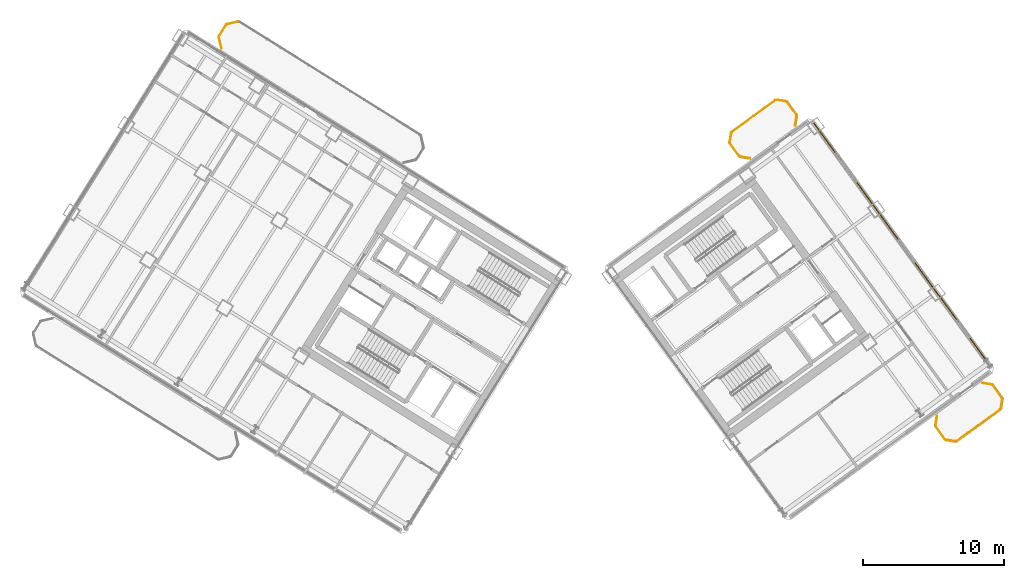
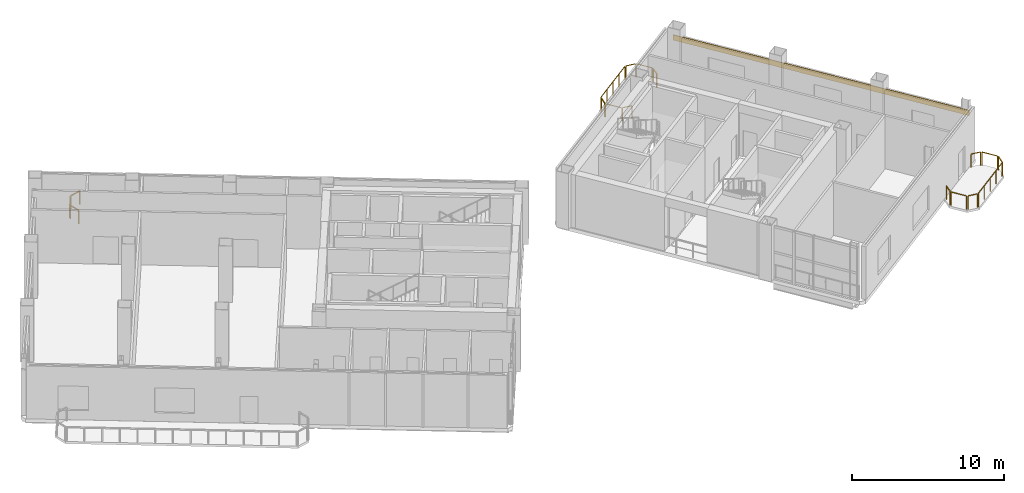
# One storey, part 18 of 18: 17 railings, 1 covering.
"""IFC4 building model written with IfcOpenShell, lengths in metres."""

from ifc_helpers import new_model, si_unit, direction, frame, origin, origin_2d, place, context, subcontext, project, spatial, rectangle, extrude, source, transform, mapped, material, layer, layer_set, type_object, element, save


model = new_model("IFC4")

# Units and contexts
model_context = context("Model", 3, precision=1e-05, world=origin(), true_north=direction((0.0, 1.0)))
body_context = subcontext(model_context, "Body", "Model", "MODEL_VIEW")
ifc_project = project(units=[si_unit("LENGTHUNIT", "METRE"), si_unit("AREAUNIT", "SQUARE_METRE"), si_unit("VOLUMEUNIT", "CUBIC_METRE"), si_unit("PLANEANGLEUNIT", "RADIAN"), si_unit("MASSUNIT", "GRAM", prefix="KILO")], contexts=[model_context])

# Site, building, storey
site_placement = place(None, origin())
site = spatial("IfcSite", under=ifc_project, at=site_placement, CompositionType="ELEMENT")
building_placement = place(site_placement, origin())
building = spatial("IfcBuilding", under=site, at=building_placement, Name="Tlacorven Tower", CompositionType="ELEMENT")
storey_placement = place(building_placement, frame((0.0, 0.0, 136.199951171875)))
storey = spatial("IfcBuildingStorey", under=building, at=storey_placement, Name="L34", CompositionType="ELEMENT", Elevation=136.199951171875)

# Railings
ifc_material_1 = material(Name="Aluminium and painted steel balustrade", Category="steel")
railing_type = type_object("IfcRailingType", Name="RL-BAL-1100", PredefinedType="BALUSTRADE", material=ifc_material_1)
shared_shape_1 = source(origin(), body_context, "Body", "SweptSolid", [
    extrude(rectangle(XDim=0.048095703125, YDim=0.048095703125, at=origin_2d()), frame((0.0, 0.0, 1.076171875), z_axis=(-0.225058334816, 0.974345290916, 0.0), x_axis=(-0.974345290916, -0.225058334816, 0.0)), (0.0, 0.0, 1.0), 0.80712890625),
    extrude(rectangle(XDim=0.0419921875, YDim=0.0419921875, at=origin_2d()), origin(), (0.0, 0.0, 1.0), 1.052001953125),
    extrude(rectangle(XDim=0.0419921875, YDim=0.0419921875, at=origin_2d()), frame((-0.181640625, 0.786376953125, 0.0)), (0.0, 0.0, 1.0), 1.052001953125),
])
railing_1_placement = place(storey_placement, frame((16.5361328125, 40.68115234375, 0.0)))
element("IfcRailing", 1, at=railing_1_placement, inside=storey, type_object=railing_type, Name="BAL-L34-W-IN Guard Railing 4", PredefinedType="BALUSTRADE", context=body_context, shape_type="MappedRepresentation", body=[
    mapped(shared_shape_1, transform((0.0, 0.0, 0.0), scale=1.0)),
])
shared_shape_2 = source(origin(), body_context, "Body", "SweptSolid", [
    extrude(rectangle(XDim=0.048095703125, YDim=0.048095703125, at=origin_2d()), frame((0.0, 0.0, 1.076171875), z_axis=(0.52987865805, 0.848073468364, 0.0), x_axis=(-0.848073468364, 0.52987865805, 0.0)), (0.0, 0.0, 1.0), 0.912353515625),
    extrude(rectangle(XDim=0.0419921875, YDim=0.0419921875, at=origin_2d()), origin(), (0.0, 0.0, 1.0), 1.052001953125),
    extrude(rectangle(XDim=0.0419921875, YDim=0.0419921875, at=origin_2d()), frame((0.4833984375, 0.773681640625, 0.0)), (0.0, 0.0, 1.0), 1.052001953125),
])
railing_2_placement = place(storey_placement, frame((16.369873046875, 41.55859375, 0.0)))
element("IfcRailing", 2, at=railing_2_placement, inside=storey, type_object=railing_type, Name="BAL-L34-W-IN Guard Railing 5", PredefinedType="BALUSTRADE", context=body_context, shape_type="MappedRepresentation", body=[
    mapped(shared_shape_2, transform((0.0, 0.0, 0.0), scale=1.0)),
])
shared_shape_3 = source(origin(), body_context, "Body", "SweptSolid", [
    extrude(rectangle(XDim=0.048095703125, YDim=0.048095703125, at=origin_2d()), frame((0.0, 0.0, 1.076171875), z_axis=(0.974411586182, 0.224771129628, 0.0), x_axis=(-0.224771129628, 0.974411586182, 0.0)), (0.0, 0.0, 1.0), 0.80712890625),
    extrude(rectangle(XDim=0.0419921875, YDim=0.0419921875, at=origin_2d()), origin(), (0.0, 0.0, 1.0), 1.052001953125),
    extrude(rectangle(XDim=0.0419921875, YDim=0.0419921875, at=origin_2d()), frame((0.786376953125, 0.181396484375, 0.0)), (0.0, 0.0, 1.0), 1.052001953125),
])
railing_3_placement = place(storey_placement, frame((16.928466796875, 42.385986328125, 0.0)))
element("IfcRailing", 3, at=railing_3_placement, inside=storey, type_object=railing_type, Name="BAL-L34-W-IN Guard Railing 6", PredefinedType="BALUSTRADE", context=body_context, shape_type="MappedRepresentation", body=[
    mapped(shared_shape_3, transform((0.0, 0.0, 0.0), scale=1.0)),
])
shared_shape_4 = source(origin(), body_context, "Body", "SweptSolid", [
    extrude(rectangle(XDim=0.048095703125, YDim=0.048095703125, at=origin_2d()), frame((0.0, 0.0, 1.076171875), z_axis=(-0.987661653326, 0.156602868908, 0.0), x_axis=(-0.156602868908, -0.987661653326, 0.0)), (0.0, 0.0, 1.0), 0.665771484375),
    extrude(rectangle(XDim=0.0419921875, YDim=0.0419921875, at=origin_2d()), origin(), (0.0, 0.0, 1.0), 1.052001953125),
    extrude(rectangle(XDim=0.0419921875, YDim=0.0419921875, at=origin_2d()), frame((-0.657470703125, 0.104248046875, 0.0)), (0.0, 0.0, 1.0), 1.052001953125),
])
railing_4_placement = place(storey_placement, frame((68.59521484375, 12.7919921875, 0.0)))
element("IfcRailing", 4, at=railing_4_placement, inside=storey, type_object=railing_type, Name="BAL-L34-E-OUT Guard Railing 1", PredefinedType="BALUSTRADE", context=body_context, shape_type="MappedRepresentation", body=[
    mapped(shared_shape_4, transform((0.0, 0.0, 0.0), scale=1.0)),
])
shared_shape_5 = source(origin(), body_context, "Body", "SweptSolid", [
    extrude(rectangle(XDim=0.048095703125, YDim=0.048095703125, at=origin_2d()), frame((0.0, 0.0, 1.076171875), z_axis=(-0.58788449985, 0.808944877501, 0.0), x_axis=(-0.808944877501, -0.58788449985, 0.0)), (0.0, 0.0, 1.0), 1.112060546875),
    extrude(rectangle(XDim=0.0419921875, YDim=0.0419921875, at=origin_2d()), origin(), (0.0, 0.0, 1.0), 1.052001953125),
    extrude(rectangle(XDim=0.0419921875, YDim=0.0419921875, at=origin_2d()), frame((-0.65380859375, 0.899658203125, 0.0)), (0.0, 0.0, 1.0), 1.052001953125),
])
railing_5_placement = place(storey_placement, frame((67.85888671875, 12.944580078125, 0.0)))
element("IfcRailing", 5, at=railing_5_placement, inside=storey, type_object=railing_type, Name="BAL-L34-E-OUT Guard Railing 2", PredefinedType="BALUSTRADE", context=body_context, shape_type="MappedRepresentation", body=[
    mapped(shared_shape_5, transform((0.0, 0.0, 0.0), scale=1.0)),
])
shared_shape_6 = source(origin(), body_context, "Body", "SweptSolid", [
    extrude(rectangle(XDim=0.048095703125, YDim=0.048095703125, at=origin_2d()), frame((0.0, 0.0, 1.076171875), z_axis=(0.156602868908, 0.987661653326, 0.0), x_axis=(-0.987661653326, 0.156602868908, 0.0)), (0.0, 0.0, 1.0), 0.665771484375),
    extrude(rectangle(XDim=0.0419921875, YDim=0.0419921875, at=origin_2d()), origin(), (0.0, 0.0, 1.0), 1.052001953125),
    extrude(rectangle(XDim=0.0419921875, YDim=0.0419921875, at=origin_2d()), frame((0.104248046875, 0.657470703125, 0.0)), (0.0, 0.0, 1.0), 1.052001953125),
])
railing_6_placement = place(storey_placement, frame((67.18359375, 13.93408203125, 0.0)))
element("IfcRailing", 6, at=railing_6_placement, inside=storey, type_object=railing_type, Name="BAL-L34-E-OUT Guard Railing 3", PredefinedType="BALUSTRADE", context=body_context, shape_type="MappedRepresentation", body=[
    mapped(shared_shape_6, transform((0.0, 0.0, 0.0), scale=1.0)),
])
shared_shape_7 = source(origin(), body_context, "Body", "SweptSolid", [
    extrude(rectangle(XDim=0.048095703125, YDim=0.048095703125, at=origin_2d()), frame((0.0, 0.0, 1.076171875), z_axis=(0.987718317463, -0.156245081039, 0.0), x_axis=(0.156245081039, 0.987718317463, 0.0)), (0.0, 0.0, 1.0), 0.66552734375),
    extrude(rectangle(XDim=0.0419921875, YDim=0.0419921875, at=origin_2d()), origin(), (0.0, 0.0, 1.0), 1.052001953125),
    extrude(rectangle(XDim=0.0419921875, YDim=0.0419921875, at=origin_2d()), frame((0.657470703125, -0.10400390625, 0.0)), (0.0, 0.0, 1.0), 1.052001953125),
])
railing_7_placement = place(storey_placement, frame((70.513916015625, 16.935546875, 0.0)))
element("IfcRailing", 7, at=railing_7_placement, inside=storey, type_object=railing_type, Name="BAL-L34-E-OUT Guard Railing 4", PredefinedType="BALUSTRADE", context=body_context, shape_type="MappedRepresentation", body=[
    mapped(shared_shape_7, transform((0.0, 0.0, 0.0), scale=1.0)),
])
shared_shape_8 = source(origin(), body_context, "Body", "SweptSolid", [
    extrude(rectangle(XDim=0.048095703125, YDim=0.048095703125, at=origin_2d()), frame((0.0, 0.0, 1.076171875), z_axis=(0.58788449985, -0.808944877501, 0.0), x_axis=(0.808944877501, 0.58788449985, 0.0)), (0.0, 0.0, 1.0), 1.112060546875),
    extrude(rectangle(XDim=0.0419921875, YDim=0.0419921875, at=origin_2d()), origin(), (0.0, 0.0, 1.0), 1.052001953125),
    extrude(rectangle(XDim=0.0419921875, YDim=0.0419921875, at=origin_2d()), frame((0.65380859375, -0.899658203125, 0.0)), (0.0, 0.0, 1.0), 1.052001953125),
])
for number, where, name in (
    (8, (71.250244140625, 16.783203125, 0.0), "BAL-L34-E-OUT Guard Railing 5"),
    (9, (56.658447265625, 36.866943359375, 0.0), "BAL-L34-E-IN Guard Railing 6"),
):
    element("IfcRailing", number, at=place(storey_placement, frame(where)), inside=storey, type_object=railing_type, Name=name, PredefinedType="BALUSTRADE", context=body_context, shape_type="MappedRepresentation", body=[
        mapped(shared_shape_8, transform((0.0, 0.0, 0.0), scale=1.0)),
    ])
shared_shape_9 = source(origin(), body_context, "Body", "SweptSolid", [
    extrude(rectangle(XDim=0.048095703125, YDim=0.048095703125, at=origin_2d()), frame((0.0, 0.0, 1.076171875), z_axis=(-0.156188498702, -0.987727266442, 0.0), x_axis=(0.987727266442, -0.156188498702, 0.0)), (0.0, 0.0, 1.0), 0.665771484375),
    extrude(rectangle(XDim=0.0419921875, YDim=0.0419921875, at=origin_2d()), origin(), (0.0, 0.0, 1.0), 1.052001953125),
    extrude(rectangle(XDim=0.0419921875, YDim=0.0419921875, at=origin_2d()), frame((-0.10400390625, -0.65771484375, 0.0)), (0.0, 0.0, 1.0), 1.052001953125),
])
railing_8_placement = place(storey_placement, frame((71.925537109375, 15.793701171875, 0.0)))
element("IfcRailing", 10, at=railing_8_placement, inside=storey, type_object=railing_type, Name="BAL-L34-E-OUT Guard Railing 6", PredefinedType="BALUSTRADE", context=body_context, shape_type="MappedRepresentation", body=[
    mapped(shared_shape_9, transform((0.0, 0.0, 0.0), scale=1.0)),
])
shared_shape_10 = source(origin(), body_context, "Body", "SweptSolid", [
    extrude(rectangle(XDim=0.048095703125, YDim=0.048095703125, at=origin_2d()), frame((0.0, 0.0, 1.076171875), z_axis=(-0.809018102573, -0.587783726986, 0.0), x_axis=(0.587783726986, -0.809018102573, 0.0)), (0.0, 0.0, 1.0), 3.817138671875),
    extrude(rectangle(XDim=0.0419921875, YDim=0.0419921875, at=origin_2d()), origin(), (0.0, 0.0, 1.0), 1.052001953125),
    extrude(rectangle(XDim=0.0419921875, YDim=0.0419921875, at=origin_2d()), frame((-0.77197265625, -0.56103515625, 0.0)), (0.0, 0.0, 1.0), 1.052001953125),
    extrude(rectangle(XDim=0.0419921875, YDim=0.0419921875, at=origin_2d()), frame((-1.5439453125, -1.121826171875, 0.0)), (0.0, 0.0, 1.0), 1.052001953125),
    extrude(rectangle(XDim=0.0419921875, YDim=0.0419921875, at=origin_2d()), frame((-2.316162109375, -1.6826171875, 0.0)), (0.0, 0.0, 1.0), 1.052001953125),
    extrude(rectangle(XDim=0.0419921875, YDim=0.0419921875, at=origin_2d()), frame((-3.088134765625, -2.24365234375, 0.0)), (0.0, 0.0, 1.0), 1.052001953125),
])
railing_9_placement = place(storey_placement, frame((71.773193359375, 15.057373046875, 0.0)))
element("IfcRailing", 11, at=railing_9_placement, inside=storey, type_object=railing_type, Name="BAL-L34-E-OUT Guard Railing 7", PredefinedType="BALUSTRADE", context=body_context, shape_type="MappedRepresentation", body=[
    mapped(shared_shape_10, transform((0.0, 0.0, 0.0), scale=1.0)),
])
shared_shape_11 = source(origin(), body_context, "Body", "SweptSolid", [
    extrude(rectangle(XDim=0.048095703125, YDim=0.048095703125, at=origin_2d()), frame((0.0, 0.0, 1.076171875), z_axis=(-0.987718317463, 0.156245081039, 0.0), x_axis=(-0.156245081039, -0.987718317463, 0.0)), (0.0, 0.0, 1.0), 0.66552734375),
    extrude(rectangle(XDim=0.0419921875, YDim=0.0419921875, at=origin_2d()), origin(), (0.0, 0.0, 1.0), 1.052001953125),
    extrude(rectangle(XDim=0.0419921875, YDim=0.0419921875, at=origin_2d()), frame((-0.657470703125, 0.10400390625, 0.0)), (0.0, 0.0, 1.0), 1.052001953125),
])
railing_10_placement = place(storey_placement, frame((54.00341796875, 32.8759765625, 0.0)))
element("IfcRailing", 12, at=railing_10_placement, inside=storey, type_object=railing_type, Name="BAL-L34-E-IN Guard Railing 1", PredefinedType="BALUSTRADE", context=body_context, shape_type="MappedRepresentation", body=[
    mapped(shared_shape_11, transform((0.0, 0.0, 0.0), scale=1.0)),
])
shared_shape_12 = source(origin(), body_context, "Body", "SweptSolid", [
    extrude(rectangle(XDim=0.048095703125, YDim=0.048095703125, at=origin_2d()), frame((0.0, 0.0, 1.076171875), z_axis=(-0.587740817519, 0.809049276263, 0.0), x_axis=(-0.809049276263, -0.587740817519, 0.0)), (0.0, 0.0, 1.0), 1.112060546875),
    extrude(rectangle(XDim=0.0419921875, YDim=0.0419921875, at=origin_2d()), origin(), (0.0, 0.0, 1.0), 1.052001953125),
    extrude(rectangle(XDim=0.0419921875, YDim=0.0419921875, at=origin_2d()), frame((-0.653564453125, 0.899658203125, 0.0)), (0.0, 0.0, 1.0), 1.052001953125),
])
railing_11_placement = place(storey_placement, frame((53.26708984375, 33.0283203125, 0.0)))
element("IfcRailing", 13, at=railing_11_placement, inside=storey, type_object=railing_type, Name="BAL-L34-E-IN Guard Railing 2", PredefinedType="BALUSTRADE", context=body_context, shape_type="MappedRepresentation", body=[
    mapped(shared_shape_12, transform((0.0, 0.0, 0.0), scale=1.0)),
])
shared_shape_13 = source(origin(), body_context, "Body", "SweptSolid", [
    extrude(rectangle(XDim=0.048095703125, YDim=0.048095703125, at=origin_2d()), frame((0.0, 0.0, 1.076171875), z_axis=(0.156546163506, 0.987670642822, 0.0), x_axis=(-0.987670642822, 0.156546163506, 0.0)), (0.0, 0.0, 1.0), 0.666015625),
    extrude(rectangle(XDim=0.0419921875, YDim=0.0419921875, at=origin_2d()), origin(), (0.0, 0.0, 1.0), 1.052001953125),
    extrude(rectangle(XDim=0.0419921875, YDim=0.0419921875, at=origin_2d()), frame((0.104248046875, 0.65771484375, 0.0)), (0.0, 0.0, 1.0), 1.052001953125),
])
railing_12_placement = place(storey_placement, frame((52.591796875, 34.017822265625, 0.0)))
element("IfcRailing", 14, at=railing_12_placement, inside=storey, type_object=railing_type, Name="BAL-L34-E-IN Guard Railing 3", PredefinedType="BALUSTRADE", context=body_context, shape_type="MappedRepresentation", body=[
    mapped(shared_shape_13, transform((0.0, 0.0, 0.0), scale=1.0)),
])
shared_shape_14 = source(origin(), body_context, "Body", "SweptSolid", [
    extrude(rectangle(XDim=0.048095703125, YDim=0.048095703125, at=origin_2d()), frame((0.0, 0.0, 1.076171875), z_axis=(0.809040198054, 0.587753313843, 0.0), x_axis=(-0.587753313843, 0.809040198054, 0.0)), (0.0, 0.0, 1.0), 3.8173828125),
    extrude(rectangle(XDim=0.0419921875, YDim=0.0419921875, at=origin_2d()), origin(), (0.0, 0.0, 1.0), 1.052001953125),
    extrude(rectangle(XDim=0.0419921875, YDim=0.0419921875, at=origin_2d()), frame((0.77197265625, 0.56103515625, 0.0)), (0.0, 0.0, 1.0), 1.052001953125),
    extrude(rectangle(XDim=0.0419921875, YDim=0.0419921875, at=origin_2d()), frame((1.544189453125, 1.121826171875, 0.0)), (0.0, 0.0, 1.0), 1.052001953125),
    extrude(rectangle(XDim=0.0419921875, YDim=0.0419921875, at=origin_2d()), frame((2.31640625, 1.6826171875, 0.0)), (0.0, 0.0, 1.0), 1.052001953125),
    extrude(rectangle(XDim=0.0419921875, YDim=0.0419921875, at=origin_2d()), frame((3.08837890625, 2.24365234375, 0.0)), (0.0, 0.0, 1.0), 1.052001953125),
])
railing_13_placement = place(storey_placement, frame((52.744140625, 34.754150390625, 0.0)))
element("IfcRailing", 15, at=railing_13_placement, inside=storey, type_object=railing_type, Name="BAL-L34-E-IN Guard Railing 4", PredefinedType="BALUSTRADE", context=body_context, shape_type="MappedRepresentation", body=[
    mapped(shared_shape_14, transform((0.0, 0.0, 0.0), scale=1.0)),
])
shared_shape_15 = source(origin(), body_context, "Body", "SweptSolid", [
    extrude(rectangle(XDim=0.048095703125, YDim=0.048095703125, at=origin_2d()), frame((0.0, 0.0, 1.076171875), z_axis=(0.987670642822, -0.156546163506, 0.0), x_axis=(0.156546163506, 0.987670642822, 0.0)), (0.0, 0.0, 1.0), 0.666015625),
    extrude(rectangle(XDim=0.0419921875, YDim=0.0419921875, at=origin_2d()), origin(), (0.0, 0.0, 1.0), 1.052001953125),
    extrude(rectangle(XDim=0.0419921875, YDim=0.0419921875, at=origin_2d()), frame((0.65771484375, -0.104248046875, 0.0)), (0.0, 0.0, 1.0), 1.052001953125),
])
railing_14_placement = place(storey_placement, frame((55.922119140625, 37.01953125, 0.0)))
element("IfcRailing", 16, at=railing_14_placement, inside=storey, type_object=railing_type, Name="BAL-L34-E-IN Guard Railing 5", PredefinedType="BALUSTRADE", context=body_context, shape_type="MappedRepresentation", body=[
    mapped(shared_shape_15, transform((0.0, 0.0, 0.0), scale=1.0)),
])
shared_shape_16 = source(origin(), body_context, "Body", "SweptSolid", [
    extrude(rectangle(XDim=0.048095703125, YDim=0.048095703125, at=origin_2d()), frame((0.0, 0.0, 1.076171875), z_axis=(-0.156245081039, -0.987718317463, 0.0), x_axis=(0.987718317463, -0.156245081039, 0.0)), (0.0, 0.0, 1.0), 0.66552734375),
    extrude(rectangle(XDim=0.0419921875, YDim=0.0419921875, at=origin_2d()), origin(), (0.0, 0.0, 1.0), 1.052001953125),
    extrude(rectangle(XDim=0.0419921875, YDim=0.0419921875, at=origin_2d()), frame((-0.10400390625, -0.657470703125, 0.0)), (0.0, 0.0, 1.0), 1.052001953125),
])
railing_15_placement = place(storey_placement, frame((57.333740234375, 35.87744140625, 0.0)))
element("IfcRailing", 17, at=railing_15_placement, inside=storey, type_object=railing_type, Name="BAL-L34-E-IN Guard Railing 7", PredefinedType="BALUSTRADE", context=body_context, shape_type="MappedRepresentation", body=[
    mapped(shared_shape_16, transform((0.0, 0.0, 0.0), scale=1.0)),
])

# Covering
ifc_material_2 = material(Name="Precast concrete C45/55", Category="concrete")
ifc_layer = layer(ifc_material_2, 0.06005859375)
ifc_layer_set = layer_set([ifc_layer], Name="Precast concrete C45/55")
covering_type = type_object("IfcCoveringType", Name="CV-CLD-TERC", PredefinedType="CLADDING", material=ifc_layer_set)
shared_shape_17 = source(origin(), body_context, "Body", "SweptSolid", [
    extrude(rectangle(XDim=21.287353515625, YDim=0.06005859375, at=origin_2d()), origin(), (0.0, 0.0, 1.0), 0.419921875),
])
covering_placement = place(storey_placement, frame((64.799072265625, 26.75146484375, 3.255126953125), z_axis=(0.0, 0.0, 1.0), x_axis=(0.587785363163, -0.809016913823, 0.0)))
element("IfcCovering", 18, at=covering_placement, inside=storey, type_object=covering_type, Name="L34 Masonry-Frame Spandrel Cladding 5", PredefinedType="CLADDING", context=body_context, shape_type="MappedRepresentation", body=[
    mapped(shared_shape_17, transform((0.0, 0.0, 0.0), scale=1.0)),
])

save(model, "model.ifc")
